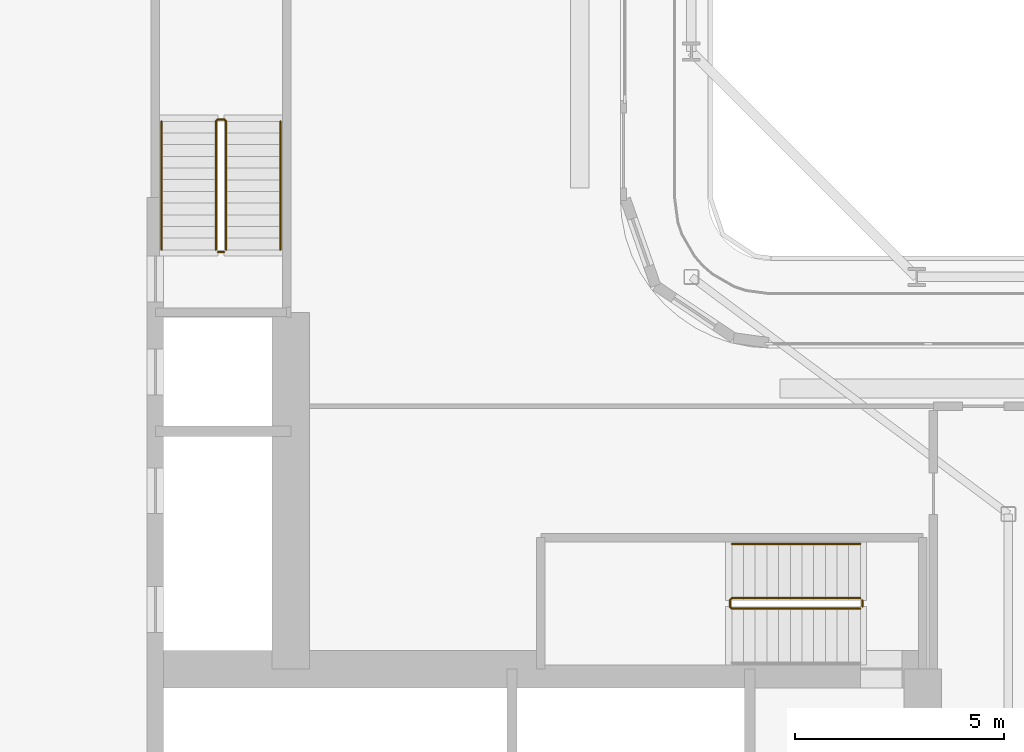
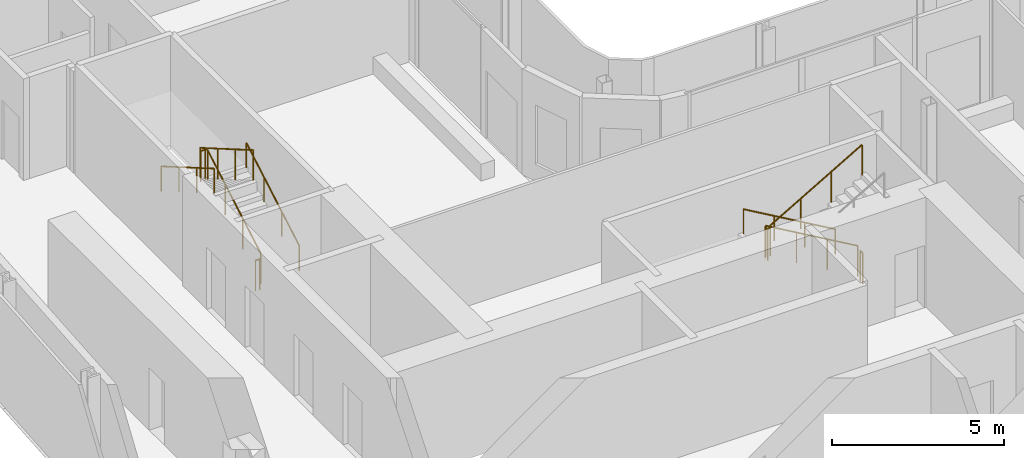
# One storey, part 23 of 28: 7 railings.
"""IFC4 building model written with IfcOpenShell, lengths in metres."""

from ifc_helpers import new_model, si_unit, direction, frame, origin, origin_2d, place, context, subcontext, project, spatial, circle, extrude, material, type_object, element, save


model = new_model("IFC4")

# Units and contexts
model_context = context("Model", 3, precision=1e-05, world=origin(), true_north=direction((0.0, 1.0)))
body_context = subcontext(model_context, "Body", "Model", "MODEL_VIEW")
ifc_project = project(units=[si_unit("LENGTHUNIT", "METRE"), si_unit("AREAUNIT", "SQUARE_METRE"), si_unit("VOLUMEUNIT", "CUBIC_METRE"), si_unit("PLANEANGLEUNIT", "RADIAN"), si_unit("MASSUNIT", "GRAM", prefix="KILO")], contexts=[model_context])

# Site, building, storey
site_placement = place(None, origin())
site = spatial("IfcSite", under=ifc_project, at=site_placement, CompositionType="ELEMENT")
building_placement = place(site_placement, origin())
building = spatial("IfcBuilding", under=site, at=building_placement, Name="Kheshtan School and Residences Tower", CompositionType="ELEMENT")
storey_placement = place(building_placement, frame((0.0, 0.0, 129.199951171875)))
storey = spatial("IfcBuildingStorey", under=building, at=storey_placement, Name="L30", CompositionType="ELEMENT", Elevation=129.199951171875)

# Railings
ifc_material_1 = material(Name="Stainless steel balustrade", Category="steel")
railing_type_1 = type_object("IfcRailingType", Name="Stair guard 1100", PredefinedType="GUARDRAIL", material=ifc_material_1)
railing_1_placement = place(storey_placement, frame((51.64990234375, 37.89990234375, 0.16259765625)))
element("IfcRailing", 1, at=railing_1_placement, inside=storey, type_object=railing_type_1, Name="L30 ST1 stair guard 1", PredefinedType="GUARDRAIL", context=body_context, shape_type="SweptSolid", body=[
    extrude(circle(Radius=0.02392578125, at=origin_2d()), frame((0.0, 0.0, 1.076171875), z_axis=(-0.864903211148, 0.0, 0.501938676878), x_axis=(0.0, -1.0, 0.0)), (0.0, 0.0, 1.0), 3.560791015625),
    extrude(circle(Radius=0.02392578125, at=origin_2d()), frame((-3.079833984375, 0.0, 2.86328125), z_axis=(-0.708833529934, -0.705375805398, 0.0), x_axis=(0.705375805398, -0.708833529934, 0.0)), (0.0, 0.0, 1.0), 0.070556640625),
    extrude(circle(Radius=0.02392578125, at=origin_2d()), frame((-3.1298828125, -0.0498046875, 2.86328125), z_axis=(0.0, -1.0, 0.0), x_axis=(1.0, 0.0, 0.0)), (0.0, 0.0, 1.0), 0.150146484375),
    extrude(circle(Radius=0.02392578125, at=origin_2d()), frame((-3.1298828125, -0.199951171875, 2.86328125), z_axis=(0.282227285176, -0.282227285176, 0.916894497205), x_axis=(0.707106781187, 0.707106781187, 0.0)), (0.0, 0.0, 1.0), 0.17724609375),
    extrude(circle(Radius=0.02392578125, at=origin_2d()), frame((-3.079833984375, -0.25, 3.02587890625), z_axis=(0.864873446163, 0.0, 0.501989962173), x_axis=(0.0, 1.0, 0.0)), (0.0, 0.0, 1.0), 3.56103515625),
    extrude(circle(Radius=0.02099609375, at=origin_2d()), origin(), (0.0, 0.0, 1.0), 1.052001953125),
    extrude(circle(Radius=0.02099609375, at=origin_2d()), frame((-1.026611328125, 0.0, 0.595703125)), (0.0, 0.0, 1.0), 1.052001953125),
    extrude(circle(Radius=0.02099609375, at=origin_2d()), frame((-2.05322265625, 0.0, 1.191650390625)), (0.0, 0.0, 1.0), 1.052001953125),
    extrude(circle(Radius=0.02099609375, at=origin_2d()), frame((-3.079833984375, 0.0, 1.787353515625)), (0.0, 0.0, 1.0), 1.052001953125),
    extrude(circle(Radius=0.02099609375, at=origin_2d()), frame((-3.1298828125, -0.0498046875, 1.787353515625)), (0.0, 0.0, 1.0), 1.052001953125),
    extrude(circle(Radius=0.02099609375, at=origin_2d()), frame((-3.1298828125, -0.199951171875, 1.787353515625)), (0.0, 0.0, 1.0), 1.052001953125),
    extrude(circle(Radius=0.02099609375, at=origin_2d()), frame((-3.079833984375, -0.25, 1.949951171875)), (0.0, 0.0, 1.0), 1.052001953125),
    extrude(circle(Radius=0.02099609375, at=origin_2d()), frame((-2.05322265625, -0.25, 2.5458984375)), (0.0, 0.0, 1.0), 1.052001953125),
    extrude(circle(Radius=0.02099609375, at=origin_2d()), frame((-1.026611328125, -0.25, 3.1416015625)), (0.0, 0.0, 1.0), 1.052001953125),
    extrude(circle(Radius=0.02099609375, at=origin_2d()), frame((0.0, -0.25, 3.737548828125)), (0.0, 0.0, 1.0), 1.052001953125),
])
railing_2_placement = place(storey_placement, frame((51.699951171875, 37.85009765625, 0.0)))
element("IfcRailing", 2, at=railing_2_placement, inside=storey, type_object=railing_type_1, Name="L30 ST1 stair guard 2", PredefinedType="GUARDRAIL", context=body_context, shape_type="SweptSolid", body=[
    extrude(circle(Radius=0.02392578125, at=origin_2d()), frame((0.0, 0.0, 1.076171875), z_axis=(0.0, -1.0, 0.0), x_axis=(1.0, 0.0, 0.0)), (0.0, 0.0, 1.0), 0.150146484375),
    extrude(circle(Radius=0.02099609375, at=origin_2d()), origin(), (0.0, 0.0, 1.0), 1.052001953125),
    extrude(circle(Radius=0.02099609375, at=origin_2d()), frame((0.0, -0.150146484375, 0.0)), (0.0, 0.0, 1.0), 1.052001953125),
])
railing_3_placement = place(storey_placement, frame((36.449951171875, 46.25, 0.16259765625)))
element("IfcRailing", 3, at=railing_3_placement, inside=storey, type_object=railing_type_1, Name="L30 ST2 stair guard 1", PredefinedType="GUARDRAIL", context=body_context, shape_type="SweptSolid", body=[
    extrude(circle(Radius=0.02392578125, at=origin_2d()), frame((0.0, 0.0, 1.076171875), z_axis=(0.0, 0.864920483161, 0.501908913857), x_axis=(-1.0, 0.0, 0.0)), (0.0, 0.0, 1.0), 3.56103515625),
    extrude(circle(Radius=0.02392578125, at=origin_2d()), frame((0.0, 3.080078125, 2.86328125), z_axis=(-0.708833529934, 0.705375805398, 0.0), x_axis=(-0.705375805398, -0.708833529934, 0.0)), (0.0, 0.0, 1.0), 0.070556640625),
    extrude(circle(Radius=0.02392578125, at=origin_2d()), frame((-0.050048828125, 3.1298828125, 2.86328125), z_axis=(-1.0, 0.0, 0.0), x_axis=(0.0, -1.0, 0.0)), (0.0, 0.0, 1.0), 0.14990234375),
    extrude(circle(Radius=0.02392578125, at=origin_2d()), frame((-0.199951171875, 3.1298828125, 2.86328125), z_axis=(-0.282336740067, -0.280959487676, 0.917250092119), x_axis=(0.705375805398, -0.708833529934, 0.0)), (0.0, 0.0, 1.0), 0.17724609375),
    extrude(circle(Radius=0.02392578125, at=origin_2d()), frame((-0.25, 3.080078125, 3.02587890625), z_axis=(0.0, -0.864890721111, 0.501960198159), x_axis=(1.0, 0.0, 0.0)), (0.0, 0.0, 1.0), 3.561279296875),
    extrude(circle(Radius=0.02099609375, at=origin_2d()), origin(), (0.0, 0.0, 1.0), 1.052001953125),
    extrude(circle(Radius=0.02099609375, at=origin_2d()), frame((0.0, 1.026611328125, 0.595703125)), (0.0, 0.0, 1.0), 1.052001953125),
    extrude(circle(Radius=0.02099609375, at=origin_2d()), frame((0.0, 2.053466796875, 1.191650390625)), (0.0, 0.0, 1.0), 1.052001953125),
    extrude(circle(Radius=0.02099609375, at=origin_2d()), frame((0.0, 3.080078125, 1.787353515625)), (0.0, 0.0, 1.0), 1.052001953125),
    extrude(circle(Radius=0.02099609375, at=origin_2d()), frame((-0.050048828125, 3.1298828125, 1.787353515625)), (0.0, 0.0, 1.0), 1.052001953125),
    extrude(circle(Radius=0.02099609375, at=origin_2d()), frame((-0.199951171875, 3.1298828125, 1.787353515625)), (0.0, 0.0, 1.0), 1.052001953125),
    extrude(circle(Radius=0.02099609375, at=origin_2d()), frame((-0.25, 3.080078125, 1.949951171875)), (0.0, 0.0, 1.0), 1.052001953125),
    extrude(circle(Radius=0.02099609375, at=origin_2d()), frame((-0.25, 2.053466796875, 2.5458984375)), (0.0, 0.0, 1.0), 1.052001953125),
    extrude(circle(Radius=0.02099609375, at=origin_2d()), frame((-0.25, 1.026611328125, 3.1416015625)), (0.0, 0.0, 1.0), 1.052001953125),
    extrude(circle(Radius=0.02099609375, at=origin_2d()), frame((-0.25, 0.0, 3.737548828125)), (0.0, 0.0, 1.0), 1.052001953125),
])
railing_4_placement = place(storey_placement, frame((36.39990234375, 46.199951171875, 0.0)))
element("IfcRailing", 4, at=railing_4_placement, inside=storey, type_object=railing_type_1, Name="L30 ST2 stair guard 2", PredefinedType="GUARDRAIL", context=body_context, shape_type="SweptSolid", body=[
    extrude(circle(Radius=0.02392578125, at=origin_2d()), frame((0.0, 0.0, 1.076171875), z_axis=(-1.0, 0.0, 0.0), x_axis=(0.0, -1.0, 0.0)), (0.0, 0.0, 1.0), 0.14990234375),
    extrude(circle(Radius=0.02099609375, at=origin_2d()), origin(), (0.0, 0.0, 1.0), 1.052001953125),
    extrude(circle(Radius=0.02099609375, at=origin_2d()), frame((-0.14990234375, 0.0, 0.0)), (0.0, 0.0, 1.0), 1.052001953125),
])
ifc_material_2 = material(Name="Stainless steel handrail", Category="steel")
railing_type_2 = type_object("IfcRailingType", Name="Stair handrail 900", PredefinedType="HANDRAIL", material=ifc_material_2)
railing_5_placement = place(storey_placement, frame((51.64990234375, 39.199951171875, 0.16259765625)))
element("IfcRailing", 5, at=railing_5_placement, inside=storey, type_object=railing_type_2, Name="L30 ST1 stair handrail 1", PredefinedType="HANDRAIL", context=body_context, shape_type="SweptSolid", body=[
    extrude(circle(Radius=0.02392578125, at=origin_2d()), frame((0.0, 0.0, 0.8759765625), z_axis=(-0.864903211148, 0.0, 0.501938676878), x_axis=(0.0, -1.0, 0.0)), (0.0, 0.0, 1.0), 3.560791015625),
    extrude(circle(Radius=0.02099609375, at=origin_2d()), origin(), (0.0, 0.0, 1.0), 0.851806640625),
    extrude(circle(Radius=0.02099609375, at=origin_2d()), frame((-1.026611328125, 0.0, 0.595703125)), (0.0, 0.0, 1.0), 0.851806640625),
    extrude(circle(Radius=0.02099609375, at=origin_2d()), frame((-2.05322265625, 0.0, 1.191650390625)), (0.0, 0.0, 1.0), 0.851806640625),
    extrude(circle(Radius=0.02099609375, at=origin_2d()), frame((-3.079833984375, 0.0, 1.787353515625)), (0.0, 0.0, 1.0), 0.851806640625),
])
railing_6_placement = place(storey_placement, frame((37.75, 46.25, 0.16259765625)))
element("IfcRailing", 6, at=railing_6_placement, inside=storey, type_object=railing_type_2, Name="L30 ST2 stair handrail 1", PredefinedType="HANDRAIL", context=body_context, shape_type="SweptSolid", body=[
    extrude(circle(Radius=0.02392578125, at=origin_2d()), frame((0.0, 0.0, 0.8759765625), z_axis=(0.0, 0.864920483161, 0.501908913857), x_axis=(-1.0, 0.0, 0.0)), (0.0, 0.0, 1.0), 3.56103515625),
    extrude(circle(Radius=0.02099609375, at=origin_2d()), origin(), (0.0, 0.0, 1.0), 0.851806640625),
    extrude(circle(Radius=0.02099609375, at=origin_2d()), frame((0.0, 1.026611328125, 0.595703125)), (0.0, 0.0, 1.0), 0.851806640625),
    extrude(circle(Radius=0.02099609375, at=origin_2d()), frame((0.0, 2.053466796875, 1.191650390625)), (0.0, 0.0, 1.0), 0.851806640625),
    extrude(circle(Radius=0.02099609375, at=origin_2d()), frame((0.0, 3.080078125, 1.787353515625)), (0.0, 0.0, 1.0), 0.851806640625),
])
railing_7_placement = place(storey_placement, frame((34.89990234375, 49.330078125, 2.112548828125)))
element("IfcRailing", 7, at=railing_7_placement, inside=storey, type_object=railing_type_2, Name="L30 ST2 stair handrail 2", PredefinedType="HANDRAIL", context=body_context, shape_type="SweptSolid", body=[
    extrude(circle(Radius=0.02392578125, at=origin_2d()), frame((0.0, 0.0, 0.8759765625), z_axis=(0.0, -0.864890721111, 0.501960198159), x_axis=(1.0, 0.0, 0.0)), (0.0, 0.0, 1.0), 3.561279296875),
    extrude(circle(Radius=0.02099609375, at=origin_2d()), origin(), (0.0, 0.0, 1.0), 0.851806640625),
    extrude(circle(Radius=0.02099609375, at=origin_2d()), frame((0.0, -1.026611328125, 0.595947265625)), (0.0, 0.0, 1.0), 0.851806640625),
    extrude(circle(Radius=0.02099609375, at=origin_2d()), frame((0.0, -2.053466796875, 1.191650390625)), (0.0, 0.0, 1.0), 0.851806640625),
    extrude(circle(Radius=0.02099609375, at=origin_2d()), frame((0.0, -3.080078125, 1.78759765625)), (0.0, 0.0, 1.0), 0.851806640625),
])

save(model, "model.ifc")
